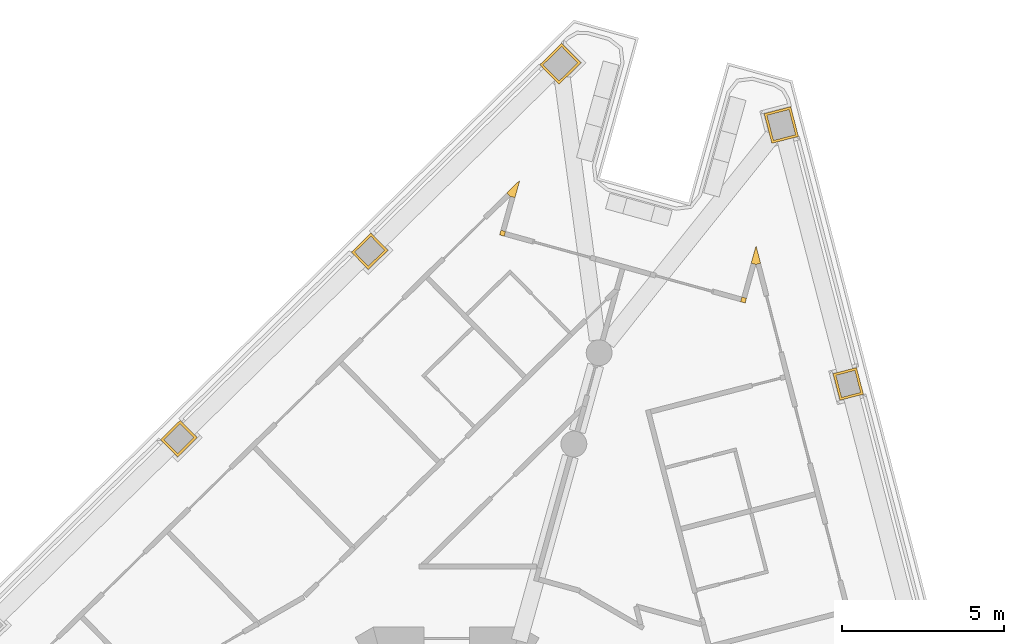
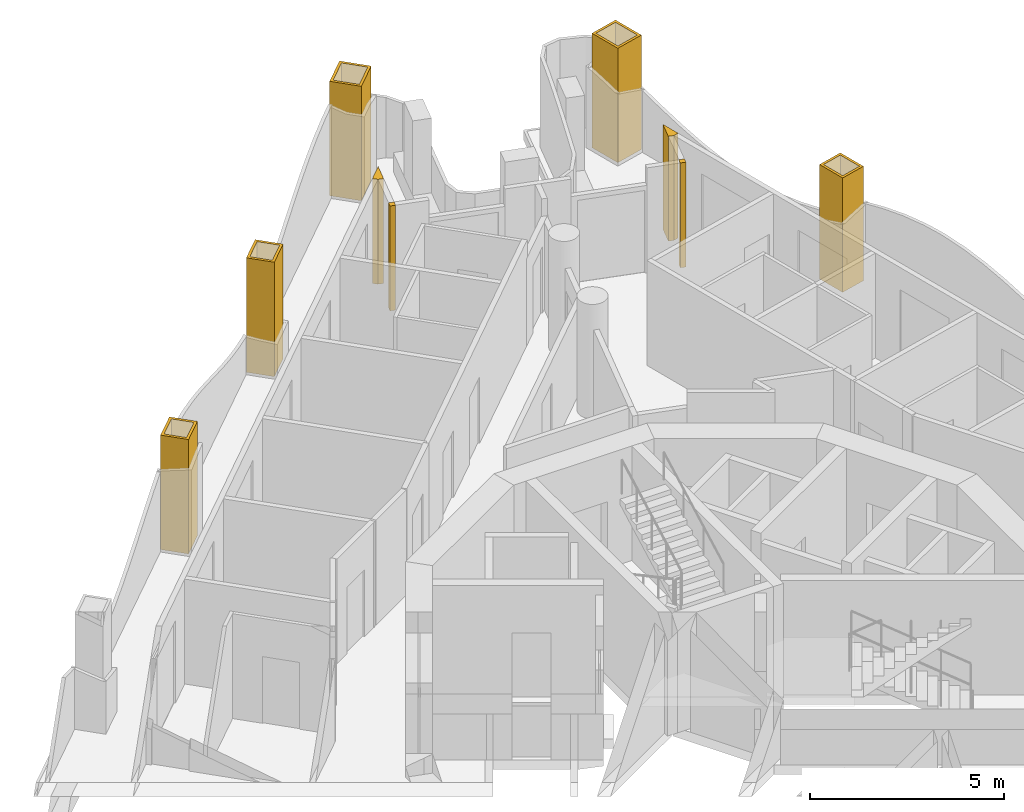
# One storey, part 14 of 15: 9 coverings.
"""IFC4 building model written with IfcOpenShell, lengths in metres."""

from ifc_helpers import new_model, si_unit, direction, frame, origin, place, context, subcontext, project, spatial, polyline, outline, extrude, material, layer, layer_set, type_object, element, save


model = new_model("IFC4")

# Units and contexts
model_context = context("Model", 3, precision=1e-05, world=origin(), true_north=direction((0.0, 1.0)))
body_context = subcontext(model_context, "Body", "Model", "MODEL_VIEW")
ifc_project = project(units=[si_unit("LENGTHUNIT", "METRE"), si_unit("AREAUNIT", "SQUARE_METRE"), si_unit("VOLUMEUNIT", "CUBIC_METRE"), si_unit("PLANEANGLEUNIT", "RADIAN"), si_unit("MASSUNIT", "GRAM", prefix="KILO")], contexts=[model_context])

# Site, building, storey
site_placement = place(None, origin())
site = spatial("IfcSite", under=ifc_project, at=site_placement, CompositionType="ELEMENT")
building_placement = place(site_placement, origin())
building = spatial("IfcBuilding", under=site, at=building_placement, Name="Trine Commons Tower", CompositionType="ELEMENT")
storey_placement = place(building_placement, frame((0.0, 0.0, 256.5)))
storey = spatial("IfcBuildingStorey", under=building, at=storey_placement, Name="L67", CompositionType="ELEMENT", Elevation=256.5)

# Coverings
ifc_material_1 = material(Name="Aluminium-framed insulated wall panel", Category="aluminium")
ifc_layer_1 = layer(ifc_material_1, 0.14990234375)
ifc_layer_set_1 = layer_set([ifc_layer_1], Name="Aluminium-framed insulated wall panel")
covering_type_1 = type_object("IfcCoveringType", Name="Glazing corner post, aluminium", PredefinedType="CLADDING", material=ifc_layer_set_1)
covering_1_placement = place(storey_placement, origin())
element("IfcCovering", 1, at=covering_1_placement, inside=storey, type_object=covering_type_1, Name="Glazing corner post 7-02", PredefinedType="CLADDING", context=body_context, shape_type="SweptSolid", body=[
    extrude(outline(polyline([(82.107177734375, 84.280029296875), (82.256591796875, 84.819580078125), (81.857421875, 84.42724609375), (81.962646484375, 84.3203125), (82.107177734375, 84.280029296875)])), origin(), (0.0, 0.0, 1.0), 3.300048828125),
])
covering_2_placement = place(storey_placement, origin())
element("IfcCovering", 2, at=covering_2_placement, inside=storey, type_object=covering_type_1, Name="Glazing corner post 7-03", PredefinedType="CLADDING", context=body_context, shape_type="SweptSolid", body=[
    extrude(outline(polyline([(81.77685546875, 83.08935546875), (81.81689453125, 83.23388671875), (81.67236328125, 83.27392578125), (81.63232421875, 83.12939453125), (81.77685546875, 83.08935546875)])), origin(), (0.0, 0.0, 1.0), 3.300048828125),
])
covering_3_placement = place(storey_placement, origin())
element("IfcCovering", 3, at=covering_3_placement, inside=storey, type_object=covering_type_1, Name="Glazing corner post 7-04", PredefinedType="CLADDING", context=body_context, shape_type="SweptSolid", body=[
    extrude(outline(polyline([(89.081298828125, 81.063720703125), (89.225830078125, 81.023681640625), (89.265869140625, 81.168212890625), (89.121337890625, 81.208251953125), (89.081298828125, 81.063720703125)])), origin(), (0.0, 0.0, 1.0), 3.300048828125),
])
covering_4_placement = place(storey_placement, origin())
element("IfcCovering", 4, at=covering_4_placement, inside=storey, type_object=covering_type_1, Name="Glazing corner post 7-05", PredefinedType="CLADDING", context=body_context, shape_type="SweptSolid", body=[
    extrude(outline(polyline([(89.411376953125, 82.25439453125), (89.555908203125, 82.21435546875), (89.701171875, 82.251953125), (89.56103515625, 82.7939453125), (89.411376953125, 82.25439453125)])), origin(), (0.0, 0.0, 1.0), 3.300048828125),
])
ifc_material_2 = material(Name="Limestone, honed", Category="masonry")
ifc_layer_2 = layer(ifc_material_2, 0.074951171875)
ifc_layer_set_2 = layer_set([ifc_layer_2], Name="Limestone, honed")
covering_type_2 = type_object("IfcCoveringType", Name="Limestone column cladding 75", PredefinedType="CLADDING", material=ifc_layer_set_2)
covering_5_placement = place(storey_placement, origin())
element("IfcCovering", 5, at=covering_5_placement, inside=storey, type_object=covering_type_2, Name="Limestone pier cladding 7-10", PredefinedType="CLADDING", context=body_context, shape_type="SweptSolid", body=[
    extrude(outline(polyline([(72.281005859375, 76.860107421875), (71.755126953125, 77.39501953125), (71.14892578125, 76.79931640625), (71.674560546875, 76.26416015625), (72.281005859375, 76.860107421875)]), holes=[polyline([(72.1748046875, 76.86083984375), (71.75439453125, 77.288818359375), (71.2548828125, 76.79833984375), (71.675537109375, 76.370361328125), (72.1748046875, 76.86083984375)])]), origin(), (0.0, 0.0, 1.0), 3.60009765625),
])
covering_6_placement = place(storey_placement, origin())
element("IfcCovering", 6, at=covering_6_placement, inside=storey, type_object=covering_type_2, Name="Limestone pier cladding 7-11", PredefinedType="CLADDING", context=body_context, shape_type="SweptSolid", body=[
    extrude(outline(polyline([(78.178466796875, 82.655517578125), (77.65283203125, 83.190673828125), (77.04638671875, 82.5947265625), (77.572265625, 82.059814453125), (78.178466796875, 82.655517578125)]), holes=[polyline([(78.072509765625, 82.656494140625), (77.65185546875, 83.08447265625), (77.152587890625, 82.593994140625), (77.572998046875, 82.166015625), (78.072509765625, 82.656494140625)])]), origin(), (0.0, 0.0, 1.0), 3.60009765625),
])
covering_7_placement = place(storey_placement, origin())
element("IfcCovering", 7, at=covering_7_placement, inside=storey, type_object=covering_type_2, Name="Limestone pier cladding 7-12", PredefinedType="CLADDING", context=body_context, shape_type="SweptSolid", body=[
    extrude(outline(polyline([(84.14697265625, 88.45068359375), (83.551025390625, 89.056884765625), (82.87353515625, 88.39111328125), (83.46923828125, 87.78466796875), (84.14697265625, 88.45068359375)]), holes=[polyline([(84.040771484375, 88.451416015625), (83.55029296875, 88.95068359375), (82.9794921875, 88.39013671875), (83.47021484375, 87.890869140625), (84.040771484375, 88.451416015625)])]), origin(), (0.0, 0.0, 1.0), 3.60009765625),
])
covering_8_placement = place(storey_placement, origin())
element("IfcCovering", 8, at=covering_8_placement, inside=storey, type_object=covering_type_2, Name="Limestone pier cladding 7-13", PredefinedType="CLADDING", context=body_context, shape_type="SweptSolid", body=[
    extrude(outline(polyline([(90.6337890625, 87.0927734375), (89.81103515625, 86.8798828125), (90.048828125, 85.960205078125), (90.871826171875, 86.1728515625), (90.6337890625, 87.0927734375)]), holes=[polyline([(90.580078125, 87.001220703125), (89.90234375, 86.825927734375), (90.102783203125, 86.051513671875), (90.780517578125, 86.226806640625), (90.580078125, 87.001220703125)])]), origin(), (0.0, 0.0, 1.0), 3.60009765625),
])
covering_9_placement = place(storey_placement, origin())
element("IfcCovering", 9, at=covering_9_placement, inside=storey, type_object=covering_type_2, Name="Limestone pier cladding 7-14", PredefinedType="CLADDING", context=body_context, shape_type="SweptSolid", body=[
    extrude(outline(polyline([(92.668212890625, 79.0263671875), (91.942138671875, 78.838623046875), (92.155029296875, 78.015625), (92.881103515625, 78.203369140625), (92.668212890625, 79.0263671875)]), holes=[polyline([(92.614501953125, 78.93505859375), (92.03369140625, 78.78466796875), (92.208984375, 78.10693359375), (92.789794921875, 78.25732421875), (92.614501953125, 78.93505859375)])]), origin(), (0.0, 0.0, 1.0), 3.60009765625),
])

save(model, "model.ifc")
